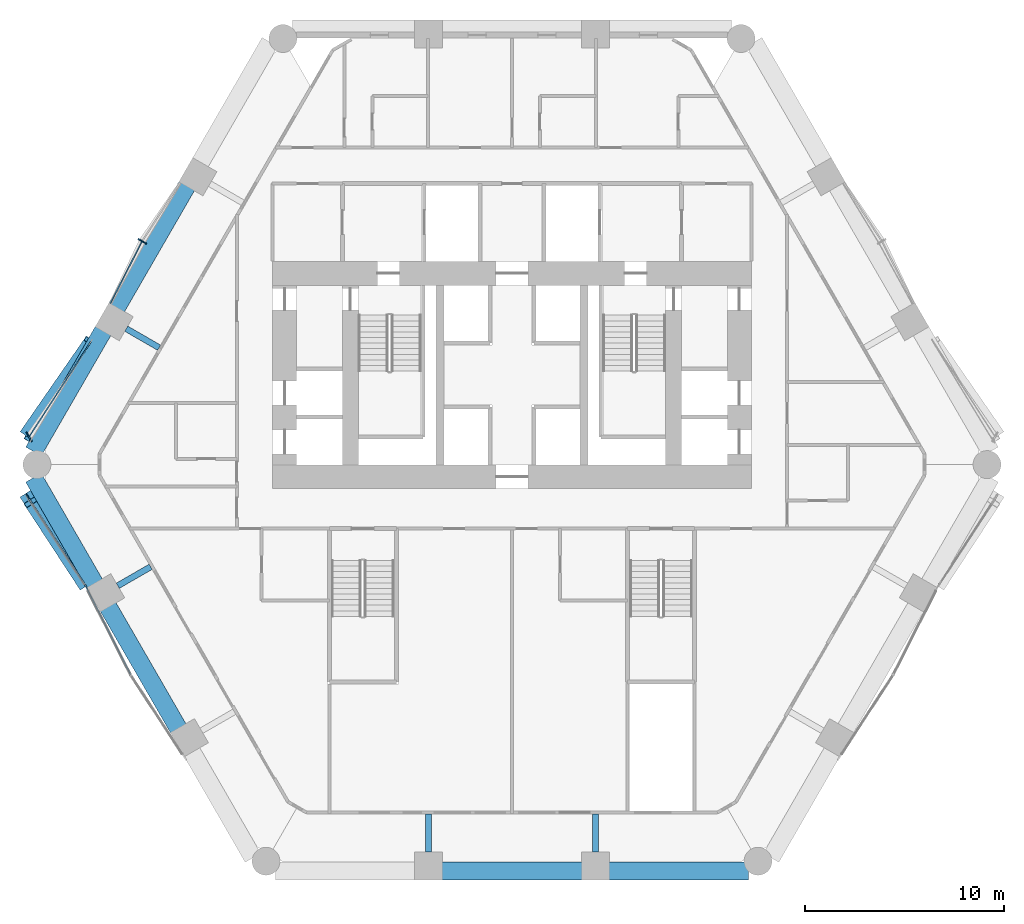
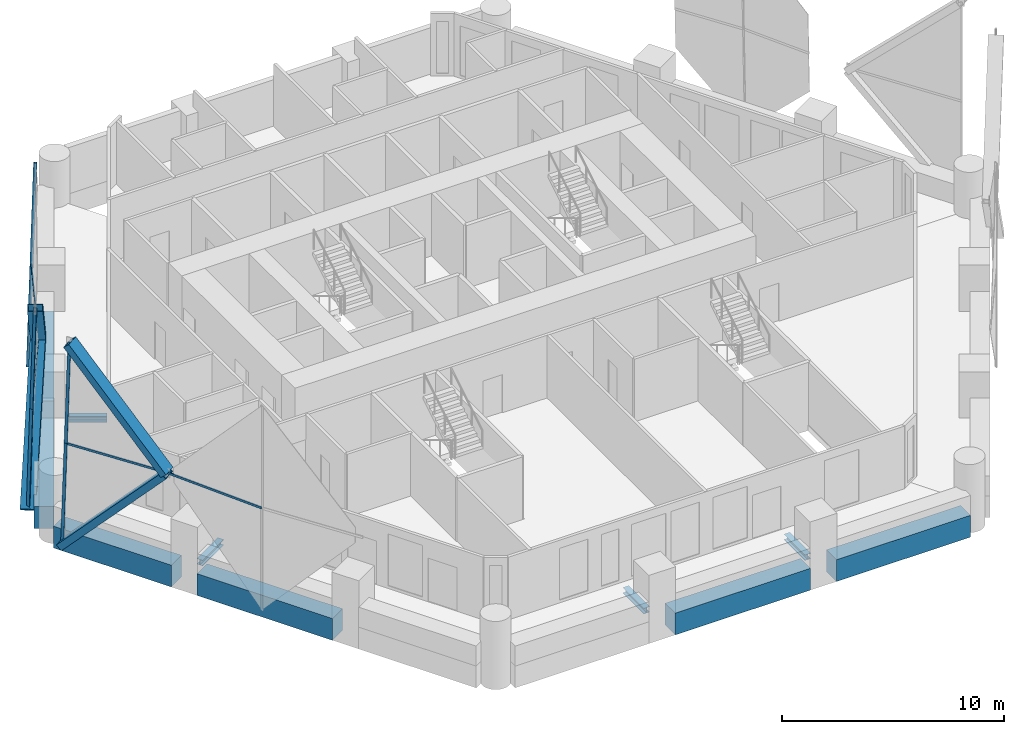
# One storey, part 3 of 16: 14 members, 10 beams, 4 elements without a shape of their own.
"""IFC4 building model written with IfcOpenShell, lengths in metres."""

import ifcopenshell
import ifcopenshell.guid

model = None  # the IFC model being written
_history = None  # IfcOwnerHistory: only IFC2X3 demands one
_inside = {}  # id of a spatial element -> (the spatial element, [elements in it])
_under = {}  # id of a project, library or spatial element -> (it, [spatial elements below it])
_declared = {}  # id of a project -> (the project, [libraries it declares])
_typed = {}  # id of a type object -> (the type object, [elements of that type])
_made_of = {}  # id of a material, layer set ... -> (it, [elements and type objects made of it])


def new_model(schema):
    """Start an empty IFC model of exactly this schema.

    Asked for "IFC4X3", IfcOpenShell would pick the latest addendum, in which some entities
    have other attributes; the version numbers below select the first issue.
    IFC2X3 requires an IfcOwnerHistory on every rooted entity: one is made here for all.
    """
    global model, _history
    if schema == "IFC4X3":
        model = ifcopenshell.file(schema_version=(4, 3, 0, 0))
    else:
        model = ifcopenshell.file(schema=schema)
    _inside.clear()
    _under.clear()
    _declared.clear()
    _typed.clear()
    _made_of.clear()
    _history = None
    if model.schema == "IFC2X3":
        org = make("IfcOrganization", Name="unknown")
        user = make(
            "IfcPersonAndOrganization",
            ThePerson=make("IfcPerson", FamilyName="unknown"),
            TheOrganization=org,
        )
        app = make(
            "IfcApplication",
            ApplicationDeveloper=org,
            Version="unknown",
            ApplicationFullName="unknown",
            ApplicationIdentifier="unknown",
        )
        _history = make(
            "IfcOwnerHistory",
            OwningUser=user,
            OwningApplication=app,
            ChangeAction="ADDED",
            CreationDate=0,
        )
    return model


def make(cls, **values):
    """One entity of the class cls with the attributes given. An attribute that is None is left unset."""
    return model.create_entity(
        cls, **{name: value for name, value in values.items() if value is not None}
    )


def rooted(cls, **values):
    """An entity with a GlobalId (a new one), such as an element, a storey or a relation."""
    return make(cls, GlobalId=ifcopenshell.guid.new(), OwnerHistory=_history, **values)


def si_unit(unit_type, name, prefix=None):
    """IfcSIUnit, for example si_unit("LENGTHUNIT", "METRE", prefix="MILLI")."""
    return make("IfcSIUnit", UnitType=unit_type, Prefix=prefix, Name=name)


def assignment(units):
    """IfcUnitAssignment: the units of a project."""
    return None if units is None else make("IfcUnitAssignment", Units=units)


def point(xyz):
    """IfcCartesianPoint."""
    return None if xyz is None else make("IfcCartesianPoint", Coordinates=xyz)


def direction(xyz):
    """IfcDirection."""
    return None if xyz is None else make("IfcDirection", DirectionRatios=xyz)


def frame(location, z_axis=None, x_axis=None):
    """IfcAxis2Placement3D, a coordinate frame: its origin and axes. An axis left out is left unset."""
    return make(
        "IfcAxis2Placement3D",
        Location=point(location),
        Axis=direction(z_axis),
        RefDirection=direction(x_axis),
    )


def frame_2d(location, x_axis=None):
    """IfcAxis2Placement2D, a coordinate frame in the plane: its origin and x axis."""
    return make(
        "IfcAxis2Placement2D", Location=point(location), RefDirection=direction(x_axis)
    )


def origin():
    """The frame at (0, 0, 0) with its axes left unset."""
    return frame((0.0, 0.0, 0.0))


def origin_2d():
    """The frame at (0, 0) in the plane with its x axis left unset."""
    return frame_2d((0.0, 0.0))


def place(relative_to, where):
    """IfcLocalPlacement: puts the frame where relative to a parent placement (None: the world)."""
    return make(
        "IfcLocalPlacement", PlacementRelTo=relative_to, RelativePlacement=where
    )


def context(
    kind, dimensions, precision=None, world=None, true_north=None, identifier=None
):
    """IfcGeometricRepresentationContext, for example the 3D "Model" context."""
    return make(
        "IfcGeometricRepresentationContext",
        ContextIdentifier=identifier,
        ContextType=kind,
        CoordinateSpaceDimension=dimensions,
        Precision=precision,
        WorldCoordinateSystem=world,
        TrueNorth=true_north,
    )


def subcontext(parent, identifier, kind, view, scale=None):
    """IfcGeometricRepresentationSubContext, for example "Body" below "Model"."""
    return make(
        "IfcGeometricRepresentationSubContext",
        ContextIdentifier=identifier,
        ContextType=kind,
        ParentContext=parent,
        TargetScale=scale,
        TargetView=view,
    )


def project(units=None, contexts=None):
    """IfcProject with its units and contexts."""
    return rooted(
        "IfcProject",
        Name="project",
        RepresentationContexts=contexts,
        UnitsInContext=assignment(units),
    )


def spatial(cls, under=None, at=None, **own):
    """A site, building, storey or space (cls), placed at a placement, below another one or the project."""
    s = rooted(cls, ObjectPlacement=at, **own)
    if under is not None:
        _under.setdefault(under.id(), (under, []))[1].append(s)
    return s


def profile(cls, at=None, kind="AREA", **sizes):
    """A parametric profile (cls). Its sizes go by their IFC names, for example OverallWidth=200.0."""
    return make(cls, ProfileType=kind, Position=at, **sizes)


def rectangle(**sizes):
    """IfcRectangleProfileDef."""
    return profile("IfcRectangleProfileDef", **sizes)


def hollow_rectangle(**sizes):
    """IfcRectangleHollowProfileDef."""
    return profile("IfcRectangleHollowProfileDef", **sizes)


def i_section(**sizes):
    """IfcIShapeProfileDef."""
    return profile("IfcIShapeProfileDef", **sizes)


def extrude(swept, where, along, depth):
    """IfcExtrudedAreaSolid: the profile swept, set in the frame where, extruded along a direction by depth."""
    return make(
        "IfcExtrudedAreaSolid",
        SweptArea=swept,
        Position=where,
        ExtrudedDirection=direction(along),
        Depth=depth,
    )


def shape(context_of_items, identifier, shape_type, items):
    """IfcShapeRepresentation: the items that make up one representation, for example the "Body"."""
    return make(
        "IfcShapeRepresentation",
        ContextOfItems=context_of_items,
        RepresentationIdentifier=identifier,
        RepresentationType=shape_type,
        Items=items,
    )


def material(Name=None, Category=None):
    """IfcMaterial."""
    return make("IfcMaterial", Name=Name, Category=Category)


def material_profile(
    of_material, cross_section, Name=None, Category=None, Priority=None
):
    """IfcMaterialProfile: a cross section and its material."""
    return make(
        "IfcMaterialProfile",
        Name=Name,
        Material=of_material,
        Profile=cross_section,
        Priority=Priority,
        Category=Category,
    )


def profile_set(profiles, Name=None, composite=None):
    """IfcMaterialProfileSet."""
    return make(
        "IfcMaterialProfileSet",
        Name=Name,
        MaterialProfiles=profiles,
        CompositeProfile=composite,
    )


def made_of(thing, what):
    """Note that an element or type object is made of a material, layer set ...; save() writes the relation."""
    if what is not None:
        _made_of.setdefault(what.id(), (what, []))[1].append(thing)
    return thing


def type_object(cls, material=None, **own):
    """A type object (cls), such as IfcWallType, which elements share."""
    return made_of(rooted(cls, **own), material)


def element(
    cls,
    number,
    at=None,
    inside=None,
    cuts=None,
    type_object=None,
    material=None,
    context=None,
    identifier="Body",
    shape_type=None,
    held_by="IfcProductDefinitionShape",
    body=None,
    shapes=None,
    **own,
):
    """One element of the class cls, such as IfcWall. Its Tag is "e" and its number.

    at: its placement. inside: the storey or other place that contains it. cuts: it is an
    opening in that element (IfcRelVoidsElement). A single representation is given by context,
    identifier, shape_type and body (its items); several are given by shapes. held_by: the class
    of the entity that holds the representations. save() writes the other relations.
    """
    e = rooted(cls, Tag="e%d" % number, ObjectPlacement=at, **own)
    if body is not None:
        shapes = [shape(context, identifier, shape_type, body)]
    if shapes is not None:
        e.Representation = make(held_by, Representations=shapes)
    if inside is not None:
        _inside.setdefault(inside.id(), (inside, []))[1].append(e)
    if cuts is not None:
        rooted(
            "IfcRelVoidsElement", RelatingBuildingElement=cuts, RelatedOpeningElement=e
        )
    if type_object is not None:
        _typed.setdefault(type_object.id(), (type_object, []))[1].append(e)
    return made_of(e, material)


def aggregate(whole, parts):
    """IfcRelAggregates: a whole, such as a stair, and the parts it consists of."""
    return rooted("IfcRelAggregates", RelatingObject=whole, RelatedObjects=parts)


def save(model, path):
    """Write the relations noted so far, then the file.

    IfcRelAggregates (storeys below a building ...), IfcRelContainedInSpatialStructure (elements
    in a storey), IfcRelDefinesByType, IfcRelAssociatesMaterial and IfcRelDeclares: one each for
    every whole, place, type object, material and project.
    """
    for whole, parts in _under.values():
        aggregate(whole, parts)
    for where, things in _inside.values():
        rooted(
            "IfcRelContainedInSpatialStructure",
            RelatedElements=things,
            RelatingStructure=where,
        )
    for kind, things in _typed.values():
        rooted("IfcRelDefinesByType", RelatedObjects=things, RelatingType=kind)
    for what, things in _made_of.values():
        rooted("IfcRelAssociatesMaterial", RelatedObjects=things, RelatingMaterial=what)
    for by, libraries in _declared.values():
        rooted("IfcRelDeclares", RelatingContext=by, RelatedDefinitions=libraries)
    model.write(path)


model = new_model("IFC4")

# Units and contexts
model_context = context("Model", 3, precision=1e-05, world=origin(), true_north=direction((0.0, 1.0)))
body_context = subcontext(model_context, "Body", "Model", "MODEL_VIEW")
ifc_project = project(units=[si_unit("LENGTHUNIT", "METRE"), si_unit("AREAUNIT", "SQUARE_METRE"), si_unit("VOLUMEUNIT", "CUBIC_METRE"), si_unit("PLANEANGLEUNIT", "RADIAN"), si_unit("MASSUNIT", "GRAM", prefix="KILO")], contexts=[model_context])

# Site, building, storey
site_placement = place(None, origin())
site = spatial("IfcSite", under=ifc_project, at=site_placement, CompositionType="ELEMENT")
building_placement = place(site_placement, origin())
building = spatial("IfcBuilding", under=site, at=building_placement, Name="Ostrander Bayou Hotel Tower", CompositionType="ELEMENT")
storey_placement = place(building_placement, frame((0.0, 0.0, 58.0)))
storey = spatial("IfcBuildingStorey", under=building, at=storey_placement, Name="L14", CompositionType="ELEMENT", Elevation=58.0)

# Curtain wall, members
ifc_material_1 = material(Name="Aluminium and clear glass", Category="aluminium")
curtain_wall_type = type_object("IfcCurtainWallType", Name="CW-LAT lattice glazing", PredefinedType="NOTDEFINED", material=ifc_material_1)
curtain_wall_1_placement = place(storey_placement, origin())
curtain_wall_1 = element("IfcCurtainWall", 1, at=curtain_wall_1_placement, inside=storey, type_object=curtain_wall_type, Name="CW-LAT L14 NW 1", PredefinedType="NOTDEFINED")
ifc_material_2 = material(Name="Aluminium", Category="aluminium")
ifc_material_profile_1 = material_profile(ifc_material_2, hollow_rectangle(XDim=0.06005859375, YDim=0.159912109375, WallThickness=0.00390625, at=origin_2d()))
ifc_profile_set_1 = profile_set([ifc_material_profile_1], Name="Aluminium")
member_type_1 = type_object("IfcMemberType", Name="CW-LA mullion 60 x 160 mm", PredefinedType="MULLION", material=ifc_profile_set_1)
member_1_placement = place(storey_placement, frame((-18.68798828125, 10.78955078125, -0.60009765625), z_axis=(0.025162980484, -0.014533790452, 0.999577707509), x_axis=(0.500153222552, 0.865936922628, 0.0)))
member_1 = element("IfcMember", 2, at=member_1_placement, type_object=member_type_1, Name="CW-LAT mullion 1", PredefinedType="MULLION", context=body_context, shape_type="SweptSolid", body=[
    extrude(hollow_rectangle(XDim=0.06005859375, YDim=0.159912109375, WallThickness=0.00390625, at=origin_2d()), origin(), (0.0, 0.0, 1.0), 5.62744140625),
])
member_2_placement = place(storey_placement, frame((-18.54638671875, 10.707763671875, 5.02490234375), z_axis=(0.025206337392, -0.014533774572, 0.999576615349), x_axis=(0.499507300835, 0.86630967697, 0.0)))
member_2 = element("IfcMember", 3, at=member_2_placement, type_object=member_type_1, Name="CW-LAT mullion 2", PredefinedType="MULLION", context=body_context, shape_type="SweptSolid", body=[
    extrude(hollow_rectangle(XDim=0.06005859375, YDim=0.159912109375, WallThickness=0.00390625, at=origin_2d()), origin(), (0.0, 0.0, 1.0), 5.62744140625),
])
member_3_placement = place(storey_placement, frame((-24.304931640625, 1.060546875, -0.60009765625), z_axis=(0.01678741147, -0.029063477222, 0.999436589838), x_axis=(0.865927271564, 0.500169931485, 0.0)))
member_3 = element("IfcMember", 4, at=member_3_placement, type_object=member_type_1, Name="CW-LAT mullion 5", PredefinedType="MULLION", context=body_context, shape_type="SweptSolid", body=[
    extrude(hollow_rectangle(XDim=0.06005859375, YDim=0.159912109375, WallThickness=0.00390625, at=origin_2d()), origin(), (0.0, 0.0, 1.0), 5.628173828125),
])
member_4_placement = place(storey_placement, frame((-24.21044921875, 0.89697265625, 5.02490234375), z_axis=(0.016744045323, -0.029063498359, 0.999437316698), x_axis=(0.866486855147, 0.499199889682, 0.0)))
member_4 = element("IfcMember", 5, at=member_4_placement, type_object=member_type_1, Name="CW-LAT mullion 6", PredefinedType="MULLION", context=body_context, shape_type="SweptSolid", body=[
    extrude(hollow_rectangle(XDim=0.06005859375, YDim=0.159912109375, WallThickness=0.00390625, at=origin_2d()), origin(), (0.0, 0.0, 1.0), 5.628173828125),
])
aggregate(curtain_wall_1, [member_1, member_2, member_3, member_4])

curtain_wall_2_placement = place(storey_placement, origin())
curtain_wall_2 = element("IfcCurtainWall", 6, at=curtain_wall_2_placement, inside=storey, type_object=curtain_wall_type, Name="CW-LAT L14 SW 1", PredefinedType="NOTDEFINED")
member_5_placement = place(storey_placement, frame((-24.304931640625, -2.04248046875, -0.60009765625), z_axis=(0.01678741147, -0.029063477222, 0.999436589838), x_axis=(0.865927271564, 0.500169931485, 0.0)))
member_5 = element("IfcMember", 7, at=member_5_placement, type_object=member_type_1, Name="CW-LAT mullion 1", PredefinedType="MULLION", context=body_context, shape_type="SweptSolid", body=[
    extrude(hollow_rectangle(XDim=0.06005859375, YDim=0.159912109375, WallThickness=0.00390625, at=origin_2d()), origin(), (0.0, 0.0, 1.0), 5.628173828125),
])
member_6_placement = place(storey_placement, frame((-24.21044921875, -2.2060546875, 5.02490234375), z_axis=(0.016744024198, -0.029106839991, 0.999436055743), x_axis=(0.866808596231, 0.498641010648, 0.0)))
member_6 = element("IfcMember", 8, at=member_6_placement, type_object=member_type_1, Name="CW-LAT mullion 2", PredefinedType="MULLION", context=body_context, shape_type="SweptSolid", body=[
    extrude(hollow_rectangle(XDim=0.06005859375, YDim=0.159912109375, WallThickness=0.00390625, at=origin_2d()), origin(), (0.0, 0.0, 1.0), 5.628173828125),
])
aggregate(curtain_wall_2, [member_5, member_6])

curtain_wall_3_placement = place(storey_placement, origin())
curtain_wall_3 = element("IfcCurtainWall", 9, at=curtain_wall_3_placement, inside=storey, type_object=curtain_wall_type, Name="CW-LAT L14 NW 2", PredefinedType="NOTDEFINED")
ifc_material_3 = material(Name="Aluminium", Category="aluminium")
ifc_material_profile_2 = material_profile(ifc_material_3, hollow_rectangle(XDim=0.06005859375, YDim=0.1201171875, WallThickness=0.00390625, at=origin_2d()))
ifc_profile_set_2 = profile_set([ifc_material_profile_2], Name="Aluminium")
member_type_2 = type_object("IfcMemberType", Name="CW-LA transom 60 x 120 mm", PredefinedType="USERDEFINED", material=ifc_profile_set_2)
member_7_placement = place(storey_placement, frame((-18.54638671875, 10.707763671875, 5.02490234375), z_axis=(-0.454369812683, -0.890813152868, 0.0), x_axis=(0.890813152868, -0.454369812683, 0.0)))
member_7 = element("IfcMember", 10, at=member_7_placement, type_object=member_type_2, Name="CW-LAT transom 4", ObjectType="TRANSOM", PredefinedType="USERDEFINED", context=body_context, shape_type="SweptSolid", body=[
    extrude(hollow_rectangle(XDim=0.06005859375, YDim=0.1201171875, WallThickness=0.00390625, at=origin_2d()), origin(), (0.0, 0.0, 1.0), 3.5),
])
member_8_placement = place(storey_placement, frame((-24.21044921875, 0.89697265625, 5.02490234375), z_axis=(0.544266437943, 0.838912417675, 0.0), x_axis=(-0.838912417675, 0.544266437943, 0.0)))
member_8 = element("IfcMember", 11, at=member_8_placement, type_object=member_type_2, Name="CW-LAT transom 7", ObjectType="TRANSOM", PredefinedType="USERDEFINED", context=body_context, shape_type="SweptSolid", body=[
    extrude(hollow_rectangle(XDim=0.06005859375, YDim=0.1201171875, WallThickness=0.00390625, at=origin_2d()), origin(), (0.0, 0.0, 1.0), 5.671630859375),
])
aggregate(curtain_wall_3, [member_7, member_8])

curtain_wall_4_placement = place(storey_placement, origin())
curtain_wall_4 = element("IfcCurtainWall", 12, at=curtain_wall_4_placement, inside=storey, type_object=curtain_wall_type, Name="CW-LAT L14 SW 2", PredefinedType="NOTDEFINED")
member_9_placement = place(storey_placement, frame((-24.21044921875, -2.2060546875, 5.02490234375), z_axis=(0.545429724514, -0.838156557939, 0.0), x_axis=(0.838156557939, 0.545429724514, 0.0)))
member_9 = element("IfcMember", 13, at=member_9_placement, type_object=member_type_2, Name="CW-LAT transom 3", ObjectType="TRANSOM", PredefinedType="USERDEFINED", context=body_context, shape_type="SweptSolid", body=[
    extrude(hollow_rectangle(XDim=0.06005859375, YDim=0.1201171875, WallThickness=0.00390625, at=origin_2d()), origin(), (0.0, 0.0, 1.0), 5.306884765625),
])
member_10_placement = place(storey_placement, frame((-19.11328125, -11.034912109375, 5.02490234375), z_axis=(-0.453134594413, 0.891442112168, 0.0), x_axis=(-0.891442112168, -0.453134594413, 0.0)))
member_10 = element("IfcMember", 14, at=member_10_placement, type_object=member_type_2, Name="CW-LAT transom 6", ObjectType="TRANSOM", PredefinedType="USERDEFINED", context=body_context, shape_type="SweptSolid", body=[
    extrude(hollow_rectangle(XDim=0.06005859375, YDim=0.1201171875, WallThickness=0.00390625, at=origin_2d()), origin(), (0.0, 0.0, 1.0), 5.1044921875),
])
aggregate(curtain_wall_4, [member_9, member_10])

# Beams
ifc_material_4 = material(Name="Steel ASTM A992", Category="steel")
ifc_material_profile_3 = material_profile(ifc_material_4, i_section(OverallWidth=0.3046875, OverallDepth=0.307861328125, WebThickness=0.010009765625, FlangeThickness=0.015380859375, at=origin_2d()))
ifc_profile_set_3 = profile_set([ifc_material_profile_3], Name="Steel ASTM A992")
beam_type_1 = type_object("IfcBeamType", Name="LB1 loggia bracket W12x65", PredefinedType="BEAM", material=ifc_profile_set_3)
beam_1_placement = place(storey_placement, frame((-19.33935546875, 6.3212890625, -0.453857421875), z_axis=(0.865956592479, -0.500119165741, 0.0), x_axis=(0.500119165741, 0.865956592479, 0.0)))
element("IfcBeam", 15, at=beam_1_placement, inside=storey, type_object=beam_type_1, Name="LB1 L14 NW2", PredefinedType="BEAM", context=body_context, shape_type="SweptSolid", body=[
    extrude(i_section(OverallWidth=0.3046875, OverallDepth=0.307861328125, WebThickness=0.010009765625, FlangeThickness=0.015380859375, at=origin_2d()), origin(), (0.0, 0.0, 1.0), 1.89990234375),
])
beam_2_placement = place(storey_placement, frame((-19.7646484375, -6.566650390625, -0.453857421875), z_axis=(0.866044365799, 0.499967155389, 0.0), x_axis=(-0.499967155389, 0.866044365799, 0.0)))
element("IfcBeam", 16, at=beam_2_placement, inside=storey, type_object=beam_type_1, Name="LB1 L14 SW1", PredefinedType="BEAM", context=body_context, shape_type="SweptSolid", body=[
    extrude(i_section(OverallWidth=0.3046875, OverallDepth=0.307861328125, WebThickness=0.010009765625, FlangeThickness=0.015380859375, at=origin_2d()), origin(), (0.0, 0.0, 1.0), 1.900146484375),
])
for number, where, z_axis, x_axis, name in (
    (17, (-4.1953125, -19.908935546875, -0.453857421875), (0.0, 1.0, 0.0), (-1.0, 0.0, 0.0), "LB1 L14 S1"),
    (18, (4.1953125, -19.908935546875, -0.453857421875), (0.0, 1.0, 0.0), (-1.0, 0.0, 0.0), "LB1 L14 S2"),
):
    element("IfcBeam", number, at=place(storey_placement, frame(where, z_axis=z_axis, x_axis=x_axis)), inside=storey, type_object=beam_type_1, Name=name, PredefinedType="BEAM", context=body_context, shape_type="SweptSolid", body=[
        extrude(i_section(OverallWidth=0.3046875, OverallDepth=0.307861328125, WebThickness=0.010009765625, FlangeThickness=0.015380859375, at=origin_2d()), origin(), (0.0, 0.0, 1.0), 1.89990234375),
    ])

# Members
ifc_material_5 = material(Name="Steel ASTM A572 Gr 50", Category="steel")
ifc_material_profile_4 = material_profile(ifc_material_5, hollow_rectangle(XDim=0.699951171875, YDim=0.35009765625, WallThickness=0.02490234375, at=origin_2d()))
ifc_profile_set_4 = profile_set([ifc_material_profile_4], Name="Steel ASTM A572 Gr 50")
member_type_3 = type_object("IfcMemberType", Name="LT1 lattice member box 700 x 350 x 25 mm", PredefinedType="BRACE", material=ifc_profile_set_4)
member_11_placement = place(storey_placement, frame((-21.12353515625, 5.655029296875, 5.02490234375), z_axis=(-0.401228708939, -0.579443102872, -0.70940905947), x_axis=(0.822141861238, -0.569282671438, 0.0)))
element("IfcMember", 19, at=member_11_placement, inside=storey, type_object=member_type_3, Name="LT1 L14 NW 1", PredefinedType="BRACE", context=body_context, shape_type="SweptSolid", body=[
    extrude(hollow_rectangle(XDim=0.699951171875, YDim=0.35009765625, WallThickness=0.02490234375, at=origin_2d()), origin(), (0.0, 0.0, 1.0), 7.92919921875),
])
member_12_placement = place(storey_placement, frame((-21.12353515625, 5.655029296875, 5.02490234375), z_axis=(-0.371713120223, -0.611304029252, 0.698667832431), x_axis=(0.854437457825, -0.519554261522, 0.0)))
element("IfcMember", 20, at=member_12_placement, inside=storey, type_object=member_type_3, Name="LT1 L14 NW 2", PredefinedType="BRACE", context=body_context, shape_type="SweptSolid", body=[
    extrude(hollow_rectangle(XDim=0.699951171875, YDim=0.35009765625, WallThickness=0.02490234375, at=origin_2d()), origin(), (0.0, 0.0, 1.0), 8.051025390625),
])
member_13_placement = place(storey_placement, frame((-21.42626953125, -6.484619140625, 5.02490234375), z_axis=(-0.372691399466, 0.575109830658, -0.728251195293), x_axis=(-0.839196254934, -0.543828691505, 0.0)))
element("IfcMember", 21, at=member_13_placement, inside=storey, type_object=member_type_3, Name="LT1 L14 SW 1", PredefinedType="BRACE", context=body_context, shape_type="SweptSolid", body=[
    extrude(hollow_rectangle(XDim=0.699951171875, YDim=0.35009765625, WallThickness=0.02490234375, at=origin_2d()), origin(), (0.0, 0.0, 1.0), 7.723876953125),
])
member_14_placement = place(storey_placement, frame((-21.42626953125, -6.484619140625, 5.02490234375), z_axis=(-0.360077811441, 0.55080336123, 0.752967215067), x_axis=(-0.837013355553, -0.547182458258, 0.0)))
element("IfcMember", 22, at=member_14_placement, inside=storey, type_object=member_type_3, Name="LT1 L14 SW 2", PredefinedType="BRACE", context=body_context, shape_type="SweptSolid", body=[
    extrude(hollow_rectangle(XDim=0.699951171875, YDim=0.35009765625, WallThickness=0.02490234375, at=origin_2d()), origin(), (0.0, 0.0, 1.0), 7.470458984375),
])

# Beams
ifc_material_6 = material(Name="Concrete f'c 70 MPa", Category="concrete")
ifc_material_profile_5 = material_profile(ifc_material_6, rectangle(XDim=0.89990234375, YDim=1.199951171875, at=origin_2d()))
ifc_profile_set_5 = profile_set([ifc_material_profile_5], Name="Concrete f'c 70 MPa")
beam_type_2 = type_object("IfcBeamType", Name="SP1 spandrel beam 900 x 1200 mm f'c 70 MPa", PredefinedType="SPANDREL", material=ifc_profile_set_5)
beam_3_placement = place(storey_placement, frame((-16.3017578125, 13.482666015625, -0.60009765625), z_axis=(-0.499997206141, -0.866027016814, 0.0), x_axis=(0.866027016814, -0.499997206141, 0.0)))
element("IfcBeam", 23, at=beam_3_placement, inside=storey, type_object=beam_type_2, Name="SP1 L14 NW-2", PredefinedType="SPANDREL", context=body_context, shape_type="SweptSolid", body=[
    extrude(rectangle(XDim=0.89990234375, YDim=1.199951171875, at=origin_2d()), origin(), (0.0, 0.0, 1.0), 7.05078125),
])
beam_4_placement = place(storey_placement, frame((-20.497314453125, 6.216064453125, -0.60009765625), z_axis=(-0.499983583635, -0.86603488157, 0.0), x_axis=(0.86603488157, -0.499983583635, 0.0)))
element("IfcBeam", 24, at=beam_4_placement, inside=storey, type_object=beam_type_2, Name="SP1 L14 NW-3", PredefinedType="SPANDREL", context=body_context, shape_type="SweptSolid", body=[
    extrude(rectangle(XDim=0.89990234375, YDim=1.199951171875, at=origin_2d()), origin(), (0.0, 0.0, 1.0), 6.987060546875),
])
beam_5_placement = place(storey_placement, frame((-23.99072265625, -1.14697265625, -0.60009765625), z_axis=(0.500007141444, -0.86602128063, 0.0), x_axis=(0.86602128063, 0.500007141444, 0.0)))
element("IfcBeam", 25, at=beam_5_placement, inside=storey, type_object=beam_type_2, Name="SP1 L14 SW-1", PredefinedType="SPANDREL", context=body_context, shape_type="SweptSolid", body=[
    extrude(rectangle(XDim=0.89990234375, YDim=1.199951171875, at=origin_2d()), origin(), (0.0, 0.0, 1.0), 6.13671875),
])
for number, where, z_axis, x_axis, name in (
    (26, (-20.252197265625, -7.621826171875, -0.60009765625), (0.499997206141, -0.866027016814, 0.0), (0.866027016814, 0.499997206141, 0.0), "SP1 L14 SW-2"),
    (27, (-3.525390625, -20.85888671875, -0.60009765625), (1.0, 0.0, 0.0), (0.0, 1.0, 0.0), "SP1 L14 S-2"),
):
    element("IfcBeam", number, at=place(storey_placement, frame(where, z_axis=z_axis, x_axis=x_axis)), inside=storey, type_object=beam_type_2, Name=name, PredefinedType="SPANDREL", context=body_context, shape_type="SweptSolid", body=[
        extrude(rectangle(XDim=0.89990234375, YDim=1.199951171875, at=origin_2d()), origin(), (0.0, 0.0, 1.0), 7.05078125),
    ])
beam_6_placement = place(storey_placement, frame((4.865478515625, -20.85888671875, -0.60009765625), z_axis=(1.0, 0.0, 0.0), x_axis=(0.0, 1.0, 0.0)))
element("IfcBeam", 28, at=beam_6_placement, inside=storey, type_object=beam_type_2, Name="SP1 L14 S-3", PredefinedType="SPANDREL", context=body_context, shape_type="SweptSolid", body=[
    extrude(rectangle(XDim=0.89990234375, YDim=1.199951171875, at=origin_2d()), origin(), (0.0, 0.0, 1.0), 6.98681640625),
])

save(model, "model.ifc")
